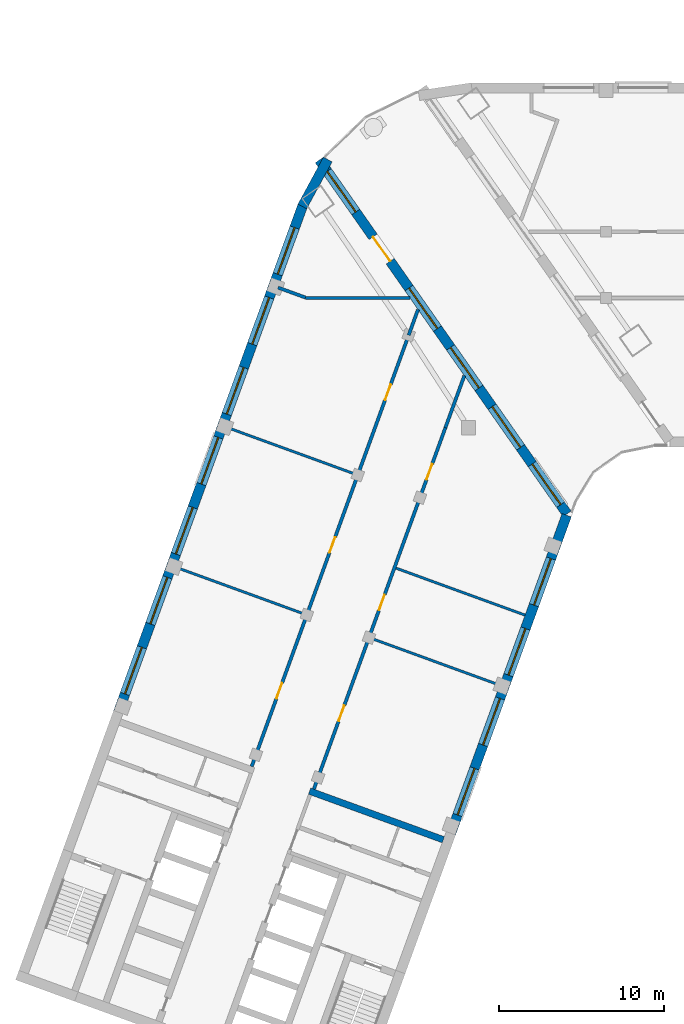
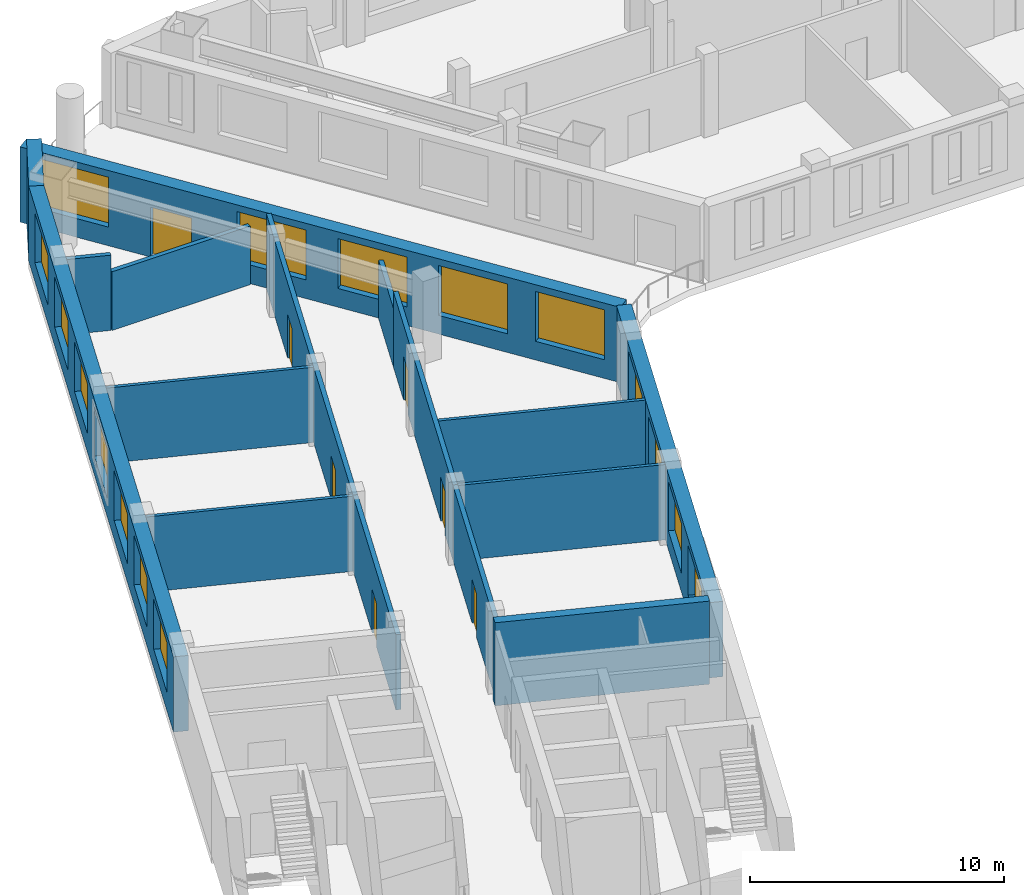
# One storey, part 4 of 14: 17 walls, 16 windows, 7 doors, 23 openings.
"""IFC4 building model written with IfcOpenShell, lengths in metres."""

import ifcopenshell
import ifcopenshell.guid

model = None  # the IFC model being written
_history = None  # IfcOwnerHistory: only IFC2X3 demands one
_inside = {}  # id of a spatial element -> (the spatial element, [elements in it])
_under = {}  # id of a project, library or spatial element -> (it, [spatial elements below it])
_declared = {}  # id of a project -> (the project, [libraries it declares])
_typed = {}  # id of a type object -> (the type object, [elements of that type])
_made_of = {}  # id of a material, layer set ... -> (it, [elements and type objects made of it])


def new_model(schema):
    """Start an empty IFC model of exactly this schema.

    Asked for "IFC4X3", IfcOpenShell would pick the latest addendum, in which some entities
    have other attributes; the version numbers below select the first issue.
    IFC2X3 requires an IfcOwnerHistory on every rooted entity: one is made here for all.
    """
    global model, _history
    if schema == "IFC4X3":
        model = ifcopenshell.file(schema_version=(4, 3, 0, 0))
    else:
        model = ifcopenshell.file(schema=schema)
    _inside.clear()
    _under.clear()
    _declared.clear()
    _typed.clear()
    _made_of.clear()
    _history = None
    if model.schema == "IFC2X3":
        org = make("IfcOrganization", Name="unknown")
        user = make(
            "IfcPersonAndOrganization",
            ThePerson=make("IfcPerson", FamilyName="unknown"),
            TheOrganization=org,
        )
        app = make(
            "IfcApplication",
            ApplicationDeveloper=org,
            Version="unknown",
            ApplicationFullName="unknown",
            ApplicationIdentifier="unknown",
        )
        _history = make(
            "IfcOwnerHistory",
            OwningUser=user,
            OwningApplication=app,
            ChangeAction="ADDED",
            CreationDate=0,
        )
    return model


def make(cls, **values):
    """One entity of the class cls with the attributes given. An attribute that is None is left unset."""
    return model.create_entity(
        cls, **{name: value for name, value in values.items() if value is not None}
    )


def rooted(cls, **values):
    """An entity with a GlobalId (a new one), such as an element, a storey or a relation."""
    return make(cls, GlobalId=ifcopenshell.guid.new(), OwnerHistory=_history, **values)


def si_unit(unit_type, name, prefix=None):
    """IfcSIUnit, for example si_unit("LENGTHUNIT", "METRE", prefix="MILLI")."""
    return make("IfcSIUnit", UnitType=unit_type, Prefix=prefix, Name=name)


def assignment(units):
    """IfcUnitAssignment: the units of a project."""
    return None if units is None else make("IfcUnitAssignment", Units=units)


def point(xyz):
    """IfcCartesianPoint."""
    return None if xyz is None else make("IfcCartesianPoint", Coordinates=xyz)


def direction(xyz):
    """IfcDirection."""
    return None if xyz is None else make("IfcDirection", DirectionRatios=xyz)


def frame(location, z_axis=None, x_axis=None):
    """IfcAxis2Placement3D, a coordinate frame: its origin and axes. An axis left out is left unset."""
    return make(
        "IfcAxis2Placement3D",
        Location=point(location),
        Axis=direction(z_axis),
        RefDirection=direction(x_axis),
    )


def frame_2d(location, x_axis=None):
    """IfcAxis2Placement2D, a coordinate frame in the plane: its origin and x axis."""
    return make(
        "IfcAxis2Placement2D", Location=point(location), RefDirection=direction(x_axis)
    )


def origin():
    """The frame at (0, 0, 0) with its axes left unset."""
    return frame((0.0, 0.0, 0.0))


def place(relative_to, where):
    """IfcLocalPlacement: puts the frame where relative to a parent placement (None: the world)."""
    return make(
        "IfcLocalPlacement", PlacementRelTo=relative_to, RelativePlacement=where
    )


def context(
    kind, dimensions, precision=None, world=None, true_north=None, identifier=None
):
    """IfcGeometricRepresentationContext, for example the 3D "Model" context."""
    return make(
        "IfcGeometricRepresentationContext",
        ContextIdentifier=identifier,
        ContextType=kind,
        CoordinateSpaceDimension=dimensions,
        Precision=precision,
        WorldCoordinateSystem=world,
        TrueNorth=true_north,
    )


def subcontext(parent, identifier, kind, view, scale=None):
    """IfcGeometricRepresentationSubContext, for example "Body" below "Model"."""
    return make(
        "IfcGeometricRepresentationSubContext",
        ContextIdentifier=identifier,
        ContextType=kind,
        ParentContext=parent,
        TargetScale=scale,
        TargetView=view,
    )


def project(units=None, contexts=None):
    """IfcProject with its units and contexts."""
    return rooted(
        "IfcProject",
        Name="project",
        RepresentationContexts=contexts,
        UnitsInContext=assignment(units),
    )


def spatial(cls, under=None, at=None, **own):
    """A site, building, storey or space (cls), placed at a placement, below another one or the project."""
    s = rooted(cls, ObjectPlacement=at, **own)
    if under is not None:
        _under.setdefault(under.id(), (under, []))[1].append(s)
    return s


def profile(cls, at=None, kind="AREA", **sizes):
    """A parametric profile (cls). Its sizes go by their IFC names, for example OverallWidth=200.0."""
    return make(cls, ProfileType=kind, Position=at, **sizes)


def rectangle(**sizes):
    """IfcRectangleProfileDef."""
    return profile("IfcRectangleProfileDef", **sizes)


def extrude(swept, where, along, depth):
    """IfcExtrudedAreaSolid: the profile swept, set in the frame where, extruded along a direction by depth."""
    return make(
        "IfcExtrudedAreaSolid",
        SweptArea=swept,
        Position=where,
        ExtrudedDirection=direction(along),
        Depth=depth,
    )


def shape(context_of_items, identifier, shape_type, items):
    """IfcShapeRepresentation: the items that make up one representation, for example the "Body"."""
    return make(
        "IfcShapeRepresentation",
        ContextOfItems=context_of_items,
        RepresentationIdentifier=identifier,
        RepresentationType=shape_type,
        Items=items,
    )


def material(Name=None, Category=None):
    """IfcMaterial."""
    return make("IfcMaterial", Name=Name, Category=Category)


def layer(
    of_material, thickness, ventilated=None, Name=None, Category=None, Priority=None
):
    """IfcMaterialLayer: one layer of a wall or slab, of a material (None: an air gap)."""
    return make(
        "IfcMaterialLayer",
        Material=of_material,
        LayerThickness=thickness,
        IsVentilated=ventilated,
        Name=Name,
        Category=Category,
        Priority=Priority,
    )


def layer_set(layers, Name=None):
    """IfcMaterialLayerSet."""
    return make("IfcMaterialLayerSet", MaterialLayers=layers, LayerSetName=Name)


def made_of(thing, what):
    """Note that an element or type object is made of a material, layer set ...; save() writes the relation."""
    if what is not None:
        _made_of.setdefault(what.id(), (what, []))[1].append(thing)
    return thing


def type_object(cls, material=None, **own):
    """A type object (cls), such as IfcWallType, which elements share."""
    return made_of(rooted(cls, **own), material)


def element(
    cls,
    number,
    at=None,
    inside=None,
    cuts=None,
    type_object=None,
    material=None,
    context=None,
    identifier="Body",
    shape_type=None,
    held_by="IfcProductDefinitionShape",
    body=None,
    shapes=None,
    **own,
):
    """One element of the class cls, such as IfcWall. Its Tag is "e" and its number.

    at: its placement. inside: the storey or other place that contains it. cuts: it is an
    opening in that element (IfcRelVoidsElement). A single representation is given by context,
    identifier, shape_type and body (its items); several are given by shapes. held_by: the class
    of the entity that holds the representations. save() writes the other relations.
    """
    e = rooted(cls, Tag="e%d" % number, ObjectPlacement=at, **own)
    if body is not None:
        shapes = [shape(context, identifier, shape_type, body)]
    if shapes is not None:
        e.Representation = make(held_by, Representations=shapes)
    if inside is not None:
        _inside.setdefault(inside.id(), (inside, []))[1].append(e)
    if cuts is not None:
        rooted(
            "IfcRelVoidsElement", RelatingBuildingElement=cuts, RelatedOpeningElement=e
        )
    if type_object is not None:
        _typed.setdefault(type_object.id(), (type_object, []))[1].append(e)
    return made_of(e, material)


def fill(opening, filler):
    """IfcRelFillsElement: the door or window that sits in an opening."""
    return rooted(
        "IfcRelFillsElement",
        RelatingOpeningElement=opening,
        RelatedBuildingElement=filler,
    )


def aggregate(whole, parts):
    """IfcRelAggregates: a whole, such as a stair, and the parts it consists of."""
    return rooted("IfcRelAggregates", RelatingObject=whole, RelatedObjects=parts)


def save(model, path):
    """Write the relations noted so far, then the file.

    IfcRelAggregates (storeys below a building ...), IfcRelContainedInSpatialStructure (elements
    in a storey), IfcRelDefinesByType, IfcRelAssociatesMaterial and IfcRelDeclares: one each for
    every whole, place, type object, material and project.
    """
    for whole, parts in _under.values():
        aggregate(whole, parts)
    for where, things in _inside.values():
        rooted(
            "IfcRelContainedInSpatialStructure",
            RelatedElements=things,
            RelatingStructure=where,
        )
    for kind, things in _typed.values():
        rooted("IfcRelDefinesByType", RelatedObjects=things, RelatingType=kind)
    for what, things in _made_of.values():
        rooted("IfcRelAssociatesMaterial", RelatedObjects=things, RelatingMaterial=what)
    for by, libraries in _declared.values():
        rooted("IfcRelDeclares", RelatingContext=by, RelatedDefinitions=libraries)
    model.write(path)


model = new_model("IFC4")

# Units and contexts
model_context = context("Model", 3, precision=1e-05, world=origin(), true_north=direction((0.0, 1.0)))
body_context = subcontext(model_context, "Body", "Model", "MODEL_VIEW")
ifc_project = project(units=[si_unit("LENGTHUNIT", "METRE"), si_unit("AREAUNIT", "SQUARE_METRE"), si_unit("VOLUMEUNIT", "CUBIC_METRE"), si_unit("PLANEANGLEUNIT", "RADIAN"), si_unit("MASSUNIT", "GRAM", prefix="KILO")], contexts=[model_context])

# Site, building, storey
site_placement = place(None, origin())
site = spatial("IfcSite", under=ifc_project, at=site_placement, CompositionType="ELEMENT")
building_placement = place(site_placement, origin())
building = spatial("IfcBuilding", under=site, at=building_placement, Name="Skarvind Civic Tower", CompositionType="ELEMENT")
storey_placement = place(building_placement, frame((0.0, 0.0, 105.0)))
storey = spatial("IfcBuildingStorey", under=building, at=storey_placement, Name="L24", CompositionType="ELEMENT", Elevation=105.0)

# Wall
ifc_material_1 = material(Name="Concrete C80", Category="concrete")
ifc_layer_1 = layer(ifc_material_1, 0.39990234375)
ifc_layer_set_1 = layer_set([ifc_layer_1], Name="Core wall 400 C80")
wall_type_1 = type_object("IfcWallType", Name="Core wall 400 C80", PredefinedType="SHEAR", material=ifc_layer_set_1)
wall_1_placement = place(storey_placement, frame((44.417724609375, 93.2451171875, 0.0), z_axis=(0.0, 0.0, 1.0), x_axis=(-0.93969060187, 0.342025690201, 0.0)))
element("IfcWall", 1, at=wall_1_placement, inside=storey, type_object=wall_type_1, Name="Core wall C2 south inner face L24", PredefinedType="SHEAR", context=body_context, shape_type="SweptSolid", body=[
    extrude(rectangle(XDim=8.599853515625, YDim=0.39990234375, at=frame_2d((4.2998046875, 0.0))), origin(), (0.0, 0.0, 1.0), 4.0),
])

# Wall, opening, door
ifc_material_2 = material(Name="Fire-rated blockwork wall, plastered", Category="masonry")
ifc_layer_2 = layer(ifc_material_2, 0.199951171875)
ifc_layer_set_2 = layer_set([ifc_layer_2], Name="FIRE WALL 200 EI 60")
wall_type_2 = type_object("IfcWallType", Name="FIRE WALL 200 EI 60", PredefinedType="PARTITIONING", material=ifc_layer_set_2)
wall_2_placement = place(storey_placement, frame((32.833984375, 97.674072265625, 0.0), z_axis=(0.0, 0.0, 1.0), x_axis=(0.342048644688, 0.939682246649, 0.0)))
wall_2 = element("IfcWall", 2, at=wall_2_placement, inside=storey, type_object=wall_type_2, Name="Portal partition L24 003", PredefinedType="PARTITIONING", context=body_context, shape_type="SweptSolid", body=[
    extrude(rectangle(XDim=9.75, YDim=0.199951171875, at=frame_2d((4.875, 0.0))), origin(), (0.0, 0.0, 1.0), 3.625),
])
opening_1_placement = place(wall_2_placement, frame((4.376953125, 0.0, 0.0)))
opening_1 = element("IfcOpeningElement", 3, at=opening_1_placement, cuts=wall_2, Name="Opening L24-D201", PredefinedType="OPENING", context=body_context, shape_type="SweptSolid", body=[
    extrude(rectangle(XDim=1.0, YDim=2.10009765625, at=frame_2d((0.5, 1.050048828125))), frame((0.0, 0.10986328125, 0.0), z_axis=(0.0, -1.0, 0.0), x_axis=(1.0, 0.0, 0.0)), (0.0, 0.0, 1.0), 0.219970703125),
])
ifc_material_3 = material(Name="Painted steel fire door leaf", Category="steel")
door_type_1 = type_object("IfcDoorType", Name="FIRE DOOR 1000X2100 STEEL", OperationType="NOTDEFINED", PredefinedType="DOOR", material=ifc_material_3)
door_1_placement = place(opening_1_placement, origin())
door_1 = element("IfcDoor", 4, at=door_1_placement, inside=storey, type_object=door_type_1, Name="FIRE DOOR", OperationType="SINGLE_SWING_RIGHT", OverallHeight=2.10009765625, OverallWidth=1.0, PredefinedType="DOOR", context=body_context, shape_type="SweptSolid", body=[
    extrude(rectangle(XDim=1.0, YDim=2.10009765625, at=frame_2d((0.5, 1.050048828125))), frame((0.0, 0.02490234375, 0.0), z_axis=(0.0, -1.0, 0.0), x_axis=(1.0, 0.0, 0.0)), (0.0, 0.0, 1.0), 0.050048828125),
])
fill(opening_1, door_1)

# Walls
wall_3_placement = place(storey_placement, frame((34.430908203125, 126.6240234375, 0.0), z_axis=(0.0, 0.0, 1.0), x_axis=(0.939753137971, -0.341853827935, 0.0)))
element("IfcWall", 5, at=wall_3_placement, inside=storey, type_object=wall_type_2, Name="Portal partition L24 004", PredefinedType="PARTITIONING", context=body_context, shape_type="SweptSolid", body=[
    extrude(rectangle(XDim=1.769775390625, YDim=0.199951171875, at=frame_2d((0.884765625, 0.0))), origin(), (0.0, 0.0, 1.0), 3.625),
])
wall_4_placement = place(storey_placement, frame((36.10009765625, 126.0, 0.0), z_axis=(0.0, 0.0, 1.0), x_axis=(1.0, 0.0, 0.0)))
element("IfcWall", 6, at=wall_4_placement, inside=storey, type_object=wall_type_2, Name="Portal partition L24 006", PredefinedType="PARTITIONING", context=body_context, shape_type="SweptSolid", body=[
    extrude(rectangle(XDim=6.294921875, YDim=0.199951171875, at=frame_2d((3.1474609375, 0.0))), origin(), (0.0, 0.0, 1.0), 2.824951171875),
])

# Wall, openings, doors
wall_5_placement = place(storey_placement, frame((36.1689453125, 106.8359375, 0.0), z_axis=(0.0, 0.0, 1.0), x_axis=(0.341992433067, 0.939702706033, 0.0)))
wall_5 = element("IfcWall", 7, at=wall_5_placement, inside=storey, type_object=wall_type_2, Name="Portal partition L24 007", PredefinedType="PARTITIONING", context=body_context, shape_type="SweptSolid", body=[
    extrude(rectangle(XDim=18.00048828125, YDim=0.199951171875, at=frame_2d((9.000244140625, 0.0))), origin(), (0.0, 0.0, 1.0), 3.625),
])
opening_2_placement = place(wall_5_placement, frame((4.0, 0.0, 0.0)))
opening_2 = element("IfcOpeningElement", 8, at=opening_2_placement, cuts=wall_5, Name="Opening L24-D202", PredefinedType="OPENING", context=body_context, shape_type="SweptSolid", body=[
    extrude(rectangle(XDim=1.0, YDim=2.10009765625, at=frame_2d((0.5, 1.050048828125))), frame((0.0, 0.10986328125, 0.0), z_axis=(0.0, -1.0, 0.0), x_axis=(1.0, 0.0, 0.0)), (0.0, 0.0, 1.0), 0.219970703125),
])
opening_3_placement = place(wall_5_placement, frame((13.821044921875, 0.0, 0.0)))
opening_3 = element("IfcOpeningElement", 9, at=opening_3_placement, cuts=wall_5, Name="Opening L24-D205", PredefinedType="OPENING", context=body_context, shape_type="SweptSolid", body=[
    extrude(rectangle(XDim=1.0, YDim=2.10009765625, at=frame_2d((0.5, 1.050048828125))), frame((0.0, 0.10986328125, 0.0), z_axis=(0.0, -1.0, 0.0), x_axis=(1.0, 0.0, 0.0)), (0.0, 0.0, 1.0), 0.219970703125),
])
door_2_placement = place(opening_2_placement, origin())
door_2 = element("IfcDoor", 10, at=door_2_placement, inside=storey, type_object=door_type_1, Name="FIRE DOOR", OperationType="SINGLE_SWING_LEFT", OverallHeight=2.10009765625, OverallWidth=1.0, PredefinedType="DOOR", context=body_context, shape_type="SweptSolid", body=[
    extrude(rectangle(XDim=1.0, YDim=2.10009765625, at=frame_2d((0.5, 1.050048828125))), frame((0.0, 0.02490234375, 0.0), z_axis=(0.0, -1.0, 0.0), x_axis=(1.0, 0.0, 0.0)), (0.0, 0.0, 1.0), 0.050048828125),
])
fill(opening_2, door_2)
door_3_placement = place(opening_3_placement, origin())
door_3 = element("IfcDoor", 11, at=door_3_placement, inside=storey, type_object=door_type_1, Name="FIRE DOOR", OperationType="SINGLE_SWING_RIGHT", OverallHeight=2.10009765625, OverallWidth=1.0, PredefinedType="DOOR", context=body_context, shape_type="SweptSolid", body=[
    extrude(rectangle(XDim=1.0, YDim=2.10009765625, at=frame_2d((0.5, 1.050048828125))), frame((0.0, 0.02490234375, 0.0), z_axis=(0.0, -1.0, 0.0), x_axis=(1.0, 0.0, 0.0)), (0.0, 0.0, 1.0), 0.050048828125),
])
fill(opening_3, door_3)

# Wall, opening, door
wall_6_placement = place(storey_placement, frame((39.927978515625, 105.468017578125, 0.0), z_axis=(0.0, 0.0, 1.0), x_axis=(-0.34204059653, -0.939685176176, 0.0)))
wall_6 = element("IfcWall", 12, at=wall_6_placement, inside=storey, type_object=wall_type_2, Name="Portal partition L24 008", PredefinedType="PARTITIONING", context=body_context, shape_type="SweptSolid", body=[
    extrude(rectangle(XDim=9.750244140625, YDim=0.199951171875, at=frame_2d((4.875, 0.0))), origin(), (0.0, 0.0, 1.0), 3.625),
])
opening_4_placement = place(wall_6_placement, frame((4.373046875, 0.0, 0.0)))
opening_4 = element("IfcOpeningElement", 13, at=opening_4_placement, cuts=wall_6, Name="Opening L24-D203", PredefinedType="OPENING", context=body_context, shape_type="SweptSolid", body=[
    extrude(rectangle(XDim=1.0, YDim=2.10009765625, at=frame_2d((0.5, 1.050048828125))), frame((0.0, 0.10986328125, 0.0), z_axis=(0.0, -1.0, 0.0), x_axis=(1.0, 0.0, 0.0)), (0.0, 0.0, 1.0), 0.219970703125),
])
door_4_placement = place(opening_4_placement, origin())
door_4 = element("IfcDoor", 14, at=door_4_placement, inside=storey, type_object=door_type_1, Name="FIRE DOOR", OperationType="SINGLE_SWING_LEFT", OverallHeight=2.10009765625, OverallWidth=1.0, PredefinedType="DOOR", context=body_context, shape_type="SweptSolid", body=[
    extrude(rectangle(XDim=1.0, YDim=2.10009765625, at=frame_2d((0.5, 1.050048828125))), frame((0.0, 0.02490234375, 0.0), z_axis=(0.0, -1.0, 0.0), x_axis=(1.0, 0.0, 0.0)), (0.0, 0.0, 1.0), 0.050048828125),
])
fill(opening_4, door_4)

# Wall, openings, doors
wall_7_placement = place(storey_placement, frame((44.544921875, 118.154052734375, 0.0), z_axis=(0.0, 0.0, 1.0), x_axis=(-0.341994252555, -0.939702043852, 0.0)))
wall_7 = element("IfcWall", 15, at=wall_7_placement, inside=storey, type_object=wall_type_2, Name="Portal partition L24 009", PredefinedType="PARTITIONING", context=body_context, shape_type="SweptSolid", body=[
    extrude(rectangle(XDim=13.5, YDim=0.199951171875, at=frame_2d((6.75, 0.0))), origin(), (0.0, 0.0, 1.0), 3.625),
])
opening_5_placement = place(wall_7_placement, frame((10.75, 0.0, 0.0)))
opening_5 = element("IfcOpeningElement", 16, at=opening_5_placement, cuts=wall_7, Name="Opening L24-D204", PredefinedType="OPENING", context=body_context, shape_type="SweptSolid", body=[
    extrude(rectangle(XDim=1.0, YDim=2.10009765625, at=frame_2d((0.5, 1.050048828125))), frame((0.0, 0.10986328125, 0.0), z_axis=(0.0, -1.0, 0.0), x_axis=(1.0, 0.0, 0.0)), (0.0, 0.0, 1.0), 0.219970703125),
])
opening_6_placement = place(wall_7_placement, frame((2.330078125, 0.0, 0.0)))
opening_6 = element("IfcOpeningElement", 17, at=opening_6_placement, cuts=wall_7, Name="Opening L24-D206", PredefinedType="OPENING", context=body_context, shape_type="SweptSolid", body=[
    extrude(rectangle(XDim=1.0, YDim=2.10009765625, at=frame_2d((0.5, 1.050048828125))), frame((0.0, 0.10986328125, 0.0), z_axis=(0.0, -1.0, 0.0), x_axis=(1.0, 0.0, 0.0)), (0.0, 0.0, 1.0), 0.219970703125),
])
door_5_placement = place(opening_5_placement, origin())
door_5 = element("IfcDoor", 18, at=door_5_placement, inside=storey, type_object=door_type_1, Name="FIRE DOOR", OperationType="SINGLE_SWING_RIGHT", OverallHeight=2.10009765625, OverallWidth=1.0, PredefinedType="DOOR", context=body_context, shape_type="SweptSolid", body=[
    extrude(rectangle(XDim=1.0, YDim=2.10009765625, at=frame_2d((0.5, 1.050048828125))), frame((0.0, 0.02490234375, 0.0), z_axis=(0.0, -1.0, 0.0), x_axis=(1.0, 0.0, 0.0)), (0.0, 0.0, 1.0), 0.050048828125),
])
fill(opening_5, door_5)
door_6_placement = place(opening_6_placement, origin())
door_6 = element("IfcDoor", 19, at=door_6_placement, inside=storey, type_object=door_type_1, Name="FIRE DOOR", OperationType="SINGLE_SWING_LEFT", OverallHeight=2.10009765625, OverallWidth=1.0, PredefinedType="DOOR", context=body_context, shape_type="SweptSolid", body=[
    extrude(rectangle(XDim=1.0, YDim=2.10009765625, at=frame_2d((0.5, 1.050048828125))), frame((0.0, 0.02490234375, 0.0), z_axis=(0.0, -1.0, 0.0), x_axis=(1.0, 0.0, 0.0)), (0.0, 0.0, 1.0), 0.050048828125),
])
fill(opening_6, door_6)

# Walls
wall_8_placement = place(storey_placement, frame((42.324951171875, 123.7509765625, 0.0), z_axis=(0.0, 0.0, 1.0), x_axis=(0.342386742207, 0.93955910871, 0.0)))
element("IfcWall", 20, at=wall_8_placement, inside=storey, type_object=wall_type_2, Name="Portal partition L24 012", PredefinedType="PARTITIONING", context=body_context, shape_type="SweptSolid", body=[
    extrude(rectangle(XDim=1.644287109375, YDim=0.199951171875, at=frame_2d((0.822265625, 0.0))), origin(), (0.0, 0.0, 1.0), 3.625),
])
wall_9_placement = place(storey_placement, frame((44.544921875, 118.154052734375, 0.0), z_axis=(0.0, 0.0, 1.0), x_axis=(0.342153412926, 0.939644103915, 0.0)))
element("IfcWall", 21, at=wall_9_placement, inside=storey, type_object=wall_type_2, Name="Portal partition L24 013", PredefinedType="PARTITIONING", context=body_context, shape_type="SweptSolid", body=[
    extrude(rectangle(XDim=3.34375, YDim=0.199951171875, at=frame_2d((1.671875, 0.0))), origin(), (0.0, 0.0, 1.0), 2.824951171875),
])
ifc_material_4 = material(Name="Plasterboard partition on steel studs", Category="steel")
ifc_layer_3 = layer(ifc_material_4, 0.14990234375)
ifc_layer_set_3 = layer_set([ifc_layer_3], Name="PARTITION 150")
wall_type_3 = type_object("IfcWallType", Name="PARTITION 150", PredefinedType="PARTITIONING", material=ifc_layer_set_3)
wall_10_placement = place(storey_placement, frame((28.27490234375, 109.708984375, 0.0), z_axis=(0.0, 0.0, 1.0), x_axis=(0.939697205528, -0.342007546586, 0.0)))
element("IfcWall", 22, at=wall_10_placement, inside=storey, type_object=wall_type_3, Name="Portal partition L24 001", PredefinedType="PARTITIONING", context=body_context, shape_type="SweptSolid", body=[
    extrude(rectangle(XDim=8.300537109375, YDim=0.14990234375, at=frame_2d((4.150390625, 0.0))), origin(), (0.0, 0.0, 1.0), 3.625),
])
wall_11_placement = place(storey_placement, frame((31.35302734375, 118.1669921875, 0.0), z_axis=(0.0, 0.0, 1.0), x_axis=(0.939649935606, -0.34213739713, 0.0)))
element("IfcWall", 23, at=wall_11_placement, inside=storey, type_object=wall_type_3, Name="Portal partition L24 002", PredefinedType="PARTITIONING", context=body_context, shape_type="SweptSolid", body=[
    extrude(rectangle(XDim=8.301025390625, YDim=0.14990234375, at=frame_2d((4.150390625, 0.0))), origin(), (0.0, 0.0, 1.0), 3.625),
])
for number, where, z_axis, x_axis, name in (
    (24, (40.02197265625, 105.43408203125, 0.0), (0.0, 0.0, 1.0), (0.939673986983, -0.342071334939, 0.0), "Portal partition L24 010"),
    (25, (41.56103515625, 109.6630859375, 0.0), (0.0, 0.0, 1.0), (0.939673986983, -0.342071334939, 0.0), "Portal partition L24 011"),
):
    element("IfcWall", number, at=place(storey_placement, frame(where, z_axis=z_axis, x_axis=x_axis)), inside=storey, type_object=wall_type_3, Name=name, PredefinedType="PARTITIONING", context=body_context, shape_type="SweptSolid", body=[
        extrude(rectangle(XDim=8.2998046875, YDim=0.14990234375, at=frame_2d((4.14990234375, 0.0))), origin(), (0.0, 0.0, 1.0), 3.625),
    ])

# Wall, openings, windows
ifc_material_5 = material(Name="Limestone masonry cladding on insulated backing", Category="masonry")
ifc_layer_4 = layer(ifc_material_5, 0.60009765625)
ifc_layer_set_4 = layer_set([ifc_layer_4], Name="WX1 STONE FACADE WALL 600")
wall_type_4 = type_object("IfcWallType", Name="WX1 STONE FACADE WALL 600", PredefinedType="SOLIDWALL", material=ifc_layer_set_4)
wall_12_placement = place(storey_placement, frame((51.876953125, 112.862060546875, 0.0), z_axis=(0.0, 0.0, 1.0), x_axis=(-0.342020589714, -0.939692458314, 0.0)))
wall_12 = element("IfcWall", 26, at=wall_12_placement, inside=storey, type_object=wall_type_4, Name="STONE FACADE WALL", PredefinedType="SOLIDWALL", context=body_context, shape_type="SweptSolid", body=[
    extrude(rectangle(XDim=20.764892578125, YDim=0.60009765625, at=frame_2d((10.38232421875, 0.0))), origin(), (0.0, 0.0, 1.0), 3.625),
])
opening_7_placement = place(wall_12_placement, frame((2.784912109375, 0.0, 0.89990234375)))
opening_7 = element("IfcOpeningElement", 27, at=opening_7_placement, cuts=wall_12, Name="Opening WN1", PredefinedType="OPENING", context=body_context, shape_type="SweptSolid", body=[
    extrude(rectangle(XDim=3.0, YDim=2.39990234375, at=frame_2d((1.5, 1.199951171875))), frame((0.0, 0.31005859375, 0.0), z_axis=(0.0, -1.0, 0.0), x_axis=(1.0, 0.0, 0.0)), (0.0, 0.0, 1.0), 0.6201171875),
])
opening_8_placement = place(wall_12_placement, frame((7.284912109375, 0.0, 0.89990234375)))
opening_8 = element("IfcOpeningElement", 28, at=opening_8_placement, cuts=wall_12, Name="Opening WN1", PredefinedType="OPENING", context=body_context, shape_type="SweptSolid", body=[
    extrude(rectangle(XDim=3.0, YDim=2.39990234375, at=frame_2d((1.5, 1.199951171875))), frame((0.0, 0.31005859375, 0.0), z_axis=(0.0, -1.0, 0.0), x_axis=(1.0, 0.0, 0.0)), (0.0, 0.0, 1.0), 0.6201171875),
])
opening_9_placement = place(wall_12_placement, frame((11.784912109375, 0.0, 0.89990234375)))
opening_9 = element("IfcOpeningElement", 29, at=opening_9_placement, cuts=wall_12, Name="Opening WN1", PredefinedType="OPENING", context=body_context, shape_type="SweptSolid", body=[
    extrude(rectangle(XDim=3.0, YDim=2.39990234375, at=frame_2d((1.5, 1.199951171875))), frame((0.0, 0.31005859375, 0.0), z_axis=(0.0, -1.0, 0.0), x_axis=(1.0, 0.0, 0.0)), (0.0, 0.0, 1.0), 0.6201171875),
])
opening_10_placement = place(wall_12_placement, frame((16.284912109375, 0.0, 0.89990234375)))
opening_10 = element("IfcOpeningElement", 30, at=opening_10_placement, cuts=wall_12, Name="Opening WN1", PredefinedType="OPENING", context=body_context, shape_type="SweptSolid", body=[
    extrude(rectangle(XDim=3.0, YDim=2.39990234375, at=frame_2d((1.5, 1.199951171875))), frame((0.0, 0.31005859375, 0.0), z_axis=(0.0, -1.0, 0.0), x_axis=(1.0, 0.0, 0.0)), (0.0, 0.0, 1.0), 0.6201171875),
])
ifc_material_6 = material(Name="Timber frame, double glazing, timber-lined reveal", Category="wood")
window_type = type_object("IfcWindowType", Name="WN1 PUNCHED STONE WINDOW 3000 x 2400", PartitioningType="SINGLE_PANEL", PredefinedType="WINDOW", material=ifc_material_6)
window_1_placement = place(opening_7_placement, origin())
window_1 = element("IfcWindow", 31, at=window_1_placement, inside=storey, type_object=window_type, Name="WN1 WINDOW", OverallHeight=2.39990234375, OverallWidth=3.0, PartitioningType="SINGLE_PANEL", PredefinedType="WINDOW", context=body_context, shape_type="SweptSolid", body=[
    extrude(rectangle(XDim=3.0, YDim=2.39990234375, at=frame_2d((1.5, 1.199951171875))), frame((0.0, 0.030029296875, 0.0), z_axis=(0.0, -1.0, 0.0), x_axis=(1.0, 0.0, 0.0)), (0.0, 0.0, 1.0), 0.06005859375),
])
fill(opening_7, window_1)
window_2_placement = place(opening_8_placement, origin())
window_2 = element("IfcWindow", 32, at=window_2_placement, inside=storey, type_object=window_type, Name="WN1 WINDOW", OverallHeight=2.39990234375, OverallWidth=3.0, PartitioningType="SINGLE_PANEL", PredefinedType="WINDOW", context=body_context, shape_type="SweptSolid", body=[
    extrude(rectangle(XDim=3.0, YDim=2.39990234375, at=frame_2d((1.5, 1.199951171875))), frame((0.0, 0.030029296875, 0.0), z_axis=(0.0, -1.0, 0.0), x_axis=(1.0, 0.0, 0.0)), (0.0, 0.0, 1.0), 0.06005859375),
])
fill(opening_8, window_2)
window_3_placement = place(opening_9_placement, origin())
window_3 = element("IfcWindow", 33, at=window_3_placement, inside=storey, type_object=window_type, Name="WN1 WINDOW", OverallHeight=2.39990234375, OverallWidth=3.0, PartitioningType="SINGLE_PANEL", PredefinedType="WINDOW", context=body_context, shape_type="SweptSolid", body=[
    extrude(rectangle(XDim=3.0, YDim=2.39990234375, at=frame_2d((1.5, 1.199951171875))), frame((0.0, 0.030029296875, 0.0), z_axis=(0.0, -1.0, 0.0), x_axis=(1.0, 0.0, 0.0)), (0.0, 0.0, 1.0), 0.06005859375),
])
fill(opening_9, window_3)
window_4_placement = place(opening_10_placement, origin())
window_4 = element("IfcWindow", 34, at=window_4_placement, inside=storey, type_object=window_type, Name="WN1 WINDOW", OverallHeight=2.39990234375, OverallWidth=3.0, PartitioningType="SINGLE_PANEL", PredefinedType="WINDOW", context=body_context, shape_type="SweptSolid", body=[
    extrude(rectangle(XDim=3.0, YDim=2.39990234375, at=frame_2d((1.5, 1.199951171875))), frame((0.0, 0.030029296875, 0.0), z_axis=(0.0, -1.0, 0.0), x_axis=(1.0, 0.0, 0.0)), (0.0, 0.0, 1.0), 0.06005859375),
])
fill(opening_10, window_4)

# Wall, openings, door, windows
wall_13_placement = place(storey_placement, frame((36.923095703125, 134.338134765625, 0.0), z_axis=(0.0, 0.0, 1.0), x_axis=(0.573575266068, -0.819152863729, 0.0)))
wall_13 = element("IfcWall", 35, at=wall_13_placement, inside=storey, type_object=wall_type_4, Name="STONE FACADE WALL", PredefinedType="SOLIDWALL", context=body_context, shape_type="SweptSolid", body=[
    extrude(rectangle(XDim=26.1171875, YDim=0.60009765625, at=frame_2d((13.05859375, 0.0))), origin(), (0.0, 0.0, 1.0), 3.625),
])
opening_11_placement = place(wall_13_placement, frame((0.83984375, 0.0, 0.89990234375)))
opening_11 = element("IfcOpeningElement", 36, at=opening_11_placement, cuts=wall_13, Name="Opening WN1", PredefinedType="OPENING", context=body_context, shape_type="SweptSolid", body=[
    extrude(rectangle(XDim=3.0, YDim=2.39990234375, at=frame_2d((1.5, 1.199951171875))), frame((0.0, 0.31005859375, 0.0), z_axis=(0.0, -1.0, 0.0), x_axis=(1.0, 0.0, 0.0)), (0.0, 0.0, 1.0), 0.6201171875),
])
opening_12_placement = place(wall_13_placement, frame((5.669189453125, 0.0, 0.0)))
opening_12 = element("IfcOpeningElement", 37, at=opening_12_placement, cuts=wall_13, Name="Opening DX3", PredefinedType="OPENING", context=body_context, shape_type="SweptSolid", body=[
    extrude(rectangle(XDim=1.800048828125, YDim=2.39990234375, at=frame_2d((0.89990234375, 1.199951171875))), frame((0.0, 0.31005859375, 0.0), z_axis=(0.0, -1.0, 0.0), x_axis=(1.0, 0.0, 0.0)), (0.0, 0.0, 1.0), 0.6201171875),
])
opening_13_placement = place(wall_13_placement, frame((9.448974609375, 0.0, 0.89990234375)))
opening_13 = element("IfcOpeningElement", 38, at=opening_13_placement, cuts=wall_13, Name="Opening WN1", PredefinedType="OPENING", context=body_context, shape_type="SweptSolid", body=[
    extrude(rectangle(XDim=3.0, YDim=2.39990234375, at=frame_2d((1.5, 1.199951171875))), frame((0.0, 0.31005859375, 0.0), z_axis=(0.0, -1.0, 0.0), x_axis=(1.0, 0.0, 0.0)), (0.0, 0.0, 1.0), 0.6201171875),
])
opening_14_placement = place(wall_13_placement, frame((13.82861328125, 0.0, 0.89990234375)))
opening_14 = element("IfcOpeningElement", 39, at=opening_14_placement, cuts=wall_13, Name="Opening WN1", PredefinedType="OPENING", context=body_context, shape_type="SweptSolid", body=[
    extrude(rectangle(XDim=3.0, YDim=2.39990234375, at=frame_2d((1.5, 1.199951171875))), frame((0.0, 0.31005859375, 0.0), z_axis=(0.0, -1.0, 0.0), x_axis=(1.0, 0.0, 0.0)), (0.0, 0.0, 1.0), 0.6201171875),
])
opening_15_placement = place(wall_13_placement, frame((18.2080078125, 0.0, 0.89990234375)))
opening_15 = element("IfcOpeningElement", 40, at=opening_15_placement, cuts=wall_13, Name="Opening WN1", PredefinedType="OPENING", context=body_context, shape_type="SweptSolid", body=[
    extrude(rectangle(XDim=3.0, YDim=2.39990234375, at=frame_2d((1.5, 1.199951171875))), frame((0.0, 0.31005859375, 0.0), z_axis=(0.0, -1.0, 0.0), x_axis=(1.0, 0.0, 0.0)), (0.0, 0.0, 1.0), 0.6201171875),
])
opening_16_placement = place(wall_13_placement, frame((22.4375, 0.0, 0.89990234375)))
opening_16 = element("IfcOpeningElement", 41, at=opening_16_placement, cuts=wall_13, Name="Opening WN1", PredefinedType="OPENING", context=body_context, shape_type="SweptSolid", body=[
    extrude(rectangle(XDim=3.0, YDim=2.39990234375, at=frame_2d((1.5, 1.199951171875))), frame((0.0, 0.31005859375, 0.0), z_axis=(0.0, -1.0, 0.0), x_axis=(1.0, 0.0, 0.0)), (0.0, 0.0, 1.0), 0.6201171875),
])
ifc_material_7 = material(Name="Timber and glass doorset", Category="wood")
door_type_2 = type_object("IfcDoorType", Name="DX3 TERRACE DOORS 1800 x 2400", OperationType="NOTDEFINED", PredefinedType="DOOR", material=ifc_material_7)
door_7_placement = place(opening_12_placement, origin())
door_7 = element("IfcDoor", 42, at=door_7_placement, inside=storey, type_object=door_type_2, Name="TERRACE DOORS", OperationType="DOUBLE_DOOR_SINGLE_SWING", OverallHeight=2.39990234375, OverallWidth=1.800048828125, PredefinedType="DOOR", context=body_context, shape_type="SweptSolid", body=[
    extrude(rectangle(XDim=1.800048828125, YDim=2.39990234375, at=frame_2d((0.89990234375, 1.199951171875))), frame((0.0, 0.02490234375, 0.0), z_axis=(0.0, -1.0, 0.0), x_axis=(1.0, 0.0, 0.0)), (0.0, 0.0, 1.0), 0.050048828125),
])
fill(opening_12, door_7)
window_5_placement = place(opening_11_placement, origin())
window_5 = element("IfcWindow", 43, at=window_5_placement, inside=storey, type_object=window_type, Name="WN1 WINDOW", OverallHeight=2.39990234375, OverallWidth=3.0, PartitioningType="SINGLE_PANEL", PredefinedType="WINDOW", context=body_context, shape_type="SweptSolid", body=[
    extrude(rectangle(XDim=3.0, YDim=2.39990234375, at=frame_2d((1.5, 1.199951171875))), frame((0.0, 0.030029296875, 0.0), z_axis=(0.0, -1.0, 0.0), x_axis=(1.0, 0.0, 0.0)), (0.0, 0.0, 1.0), 0.06005859375),
])
fill(opening_11, window_5)
window_6_placement = place(opening_13_placement, origin())
window_6 = element("IfcWindow", 44, at=window_6_placement, inside=storey, type_object=window_type, Name="WN1 WINDOW", OverallHeight=2.39990234375, OverallWidth=3.0, PartitioningType="SINGLE_PANEL", PredefinedType="WINDOW", context=body_context, shape_type="SweptSolid", body=[
    extrude(rectangle(XDim=3.0, YDim=2.39990234375, at=frame_2d((1.5, 1.199951171875))), frame((0.0, 0.030029296875, 0.0), z_axis=(0.0, -1.0, 0.0), x_axis=(1.0, 0.0, 0.0)), (0.0, 0.0, 1.0), 0.06005859375),
])
fill(opening_13, window_6)
window_7_placement = place(opening_14_placement, origin())
window_7 = element("IfcWindow", 45, at=window_7_placement, inside=storey, type_object=window_type, Name="WN1 WINDOW", OverallHeight=2.39990234375, OverallWidth=3.0, PartitioningType="SINGLE_PANEL", PredefinedType="WINDOW", context=body_context, shape_type="SweptSolid", body=[
    extrude(rectangle(XDim=3.0, YDim=2.39990234375, at=frame_2d((1.5, 1.199951171875))), frame((0.0, 0.030029296875, 0.0), z_axis=(0.0, -1.0, 0.0), x_axis=(1.0, 0.0, 0.0)), (0.0, 0.0, 1.0), 0.06005859375),
])
fill(opening_14, window_7)
window_8_placement = place(opening_15_placement, origin())
window_8 = element("IfcWindow", 46, at=window_8_placement, inside=storey, type_object=window_type, Name="WN1 WINDOW", OverallHeight=2.39990234375, OverallWidth=3.0, PartitioningType="SINGLE_PANEL", PredefinedType="WINDOW", context=body_context, shape_type="SweptSolid", body=[
    extrude(rectangle(XDim=3.0, YDim=2.39990234375, at=frame_2d((1.5, 1.199951171875))), frame((0.0, 0.030029296875, 0.0), z_axis=(0.0, -1.0, 0.0), x_axis=(1.0, 0.0, 0.0)), (0.0, 0.0, 1.0), 0.06005859375),
])
fill(opening_15, window_8)
window_9_placement = place(opening_16_placement, origin())
window_9 = element("IfcWindow", 47, at=window_9_placement, inside=storey, type_object=window_type, Name="WN1 WINDOW", OverallHeight=2.39990234375, OverallWidth=3.0, PartitioningType="SINGLE_PANEL", PredefinedType="WINDOW", context=body_context, shape_type="SweptSolid", body=[
    extrude(rectangle(XDim=3.0, YDim=2.39990234375, at=frame_2d((1.5, 1.199951171875))), frame((0.0, 0.030029296875, 0.0), z_axis=(0.0, -1.0, 0.0), x_axis=(1.0, 0.0, 0.0)), (0.0, 0.0, 1.0), 0.06005859375),
])
fill(opening_16, window_9)

# Wall
wall_14_placement = place(storey_placement, frame((35.89453125, 131.529541015625, 0.0), z_axis=(0.0, 0.0, 1.0), x_axis=(0.476529237666, 0.879158623713, 0.0)))
element("IfcWall", 48, at=wall_14_placement, inside=storey, type_object=wall_type_4, Name="STONE FACADE WALL", PredefinedType="SOLIDWALL", context=body_context, shape_type="SweptSolid", body=[
    extrude(rectangle(XDim=3.227783203125, YDim=0.60009765625, at=frame_2d((1.61376953125, 0.0))), origin(), (0.0, 0.0, 1.0), 3.625),
])

# Wall, openings, windows
wall_15_placement = place(storey_placement, frame((24.66552734375, 100.668701171875, 0.0), z_axis=(0.0, 0.0, 1.0), x_axis=(0.34201964167, 0.939692803373, 0.0)))
wall_15 = element("IfcWall", 49, at=wall_15_placement, inside=storey, type_object=wall_type_4, Name="STONE FACADE WALL", PredefinedType="SOLIDWALL", context=body_context, shape_type="SweptSolid", body=[
    extrude(rectangle(XDim=32.88427734375, YDim=0.60009765625, at=frame_2d((16.442138671875, 0.0))), origin(), (0.0, 0.0, 1.0), 3.625),
])
opening_17_placement = place(wall_15_placement, frame((1.47998046875, 0.0, 0.89990234375)))
opening_17 = element("IfcOpeningElement", 50, at=opening_17_placement, cuts=wall_15, Name="Opening WN1", PredefinedType="OPENING", context=body_context, shape_type="SweptSolid", body=[
    extrude(rectangle(XDim=3.0, YDim=2.39990234375, at=frame_2d((1.5, 1.199951171875))), frame((0.0, 0.31005859375, 0.0), z_axis=(0.0, -1.0, 0.0), x_axis=(1.0, 0.0, 0.0)), (0.0, 0.0, 1.0), 0.6201171875),
])
opening_18_placement = place(wall_15_placement, frame((5.97998046875, 0.0, 0.89990234375)))
opening_18 = element("IfcOpeningElement", 51, at=opening_18_placement, cuts=wall_15, Name="Opening WN1", PredefinedType="OPENING", context=body_context, shape_type="SweptSolid", body=[
    extrude(rectangle(XDim=3.0, YDim=2.39990234375, at=frame_2d((1.5, 1.199951171875))), frame((0.0, 0.31005859375, 0.0), z_axis=(0.0, -1.0, 0.0), x_axis=(1.0, 0.0, 0.0)), (0.0, 0.0, 1.0), 0.6201171875),
])
opening_19_placement = place(wall_15_placement, frame((10.47998046875, 0.0, 0.89990234375)))
opening_19 = element("IfcOpeningElement", 52, at=opening_19_placement, cuts=wall_15, Name="Opening WN1", PredefinedType="OPENING", context=body_context, shape_type="SweptSolid", body=[
    extrude(rectangle(XDim=3.0, YDim=2.39990234375, at=frame_2d((1.5, 1.199951171875))), frame((0.0, 0.31005859375, 0.0), z_axis=(0.0, -1.0, 0.0), x_axis=(1.0, 0.0, 0.0)), (0.0, 0.0, 1.0), 0.6201171875),
])
opening_20_placement = place(wall_15_placement, frame((14.97998046875, 0.0, 0.89990234375)))
opening_20 = element("IfcOpeningElement", 53, at=opening_20_placement, cuts=wall_15, Name="Opening WN1", PredefinedType="OPENING", context=body_context, shape_type="SweptSolid", body=[
    extrude(rectangle(XDim=3.0, YDim=2.39990234375, at=frame_2d((1.5, 1.199951171875))), frame((0.0, 0.31005859375, 0.0), z_axis=(0.0, -1.0, 0.0), x_axis=(1.0, 0.0, 0.0)), (0.0, 0.0, 1.0), 0.6201171875),
])
opening_21_placement = place(wall_15_placement, frame((19.47998046875, 0.0, 0.89990234375)))
opening_21 = element("IfcOpeningElement", 54, at=opening_21_placement, cuts=wall_15, Name="Opening WN1", PredefinedType="OPENING", context=body_context, shape_type="SweptSolid", body=[
    extrude(rectangle(XDim=3.0, YDim=2.39990234375, at=frame_2d((1.5, 1.199951171875))), frame((0.0, 0.31005859375, 0.0), z_axis=(0.0, -1.0, 0.0), x_axis=(1.0, 0.0, 0.0)), (0.0, 0.0, 1.0), 0.6201171875),
])
opening_22_placement = place(wall_15_placement, frame((23.97998046875, 0.0, 0.89990234375)))
opening_22 = element("IfcOpeningElement", 55, at=opening_22_placement, cuts=wall_15, Name="Opening WN1", PredefinedType="OPENING", context=body_context, shape_type="SweptSolid", body=[
    extrude(rectangle(XDim=3.0, YDim=2.39990234375, at=frame_2d((1.5, 1.199951171875))), frame((0.0, 0.31005859375, 0.0), z_axis=(0.0, -1.0, 0.0), x_axis=(1.0, 0.0, 0.0)), (0.0, 0.0, 1.0), 0.6201171875),
])
opening_23_placement = place(wall_15_placement, frame((28.47998046875, 0.0, 0.89990234375)))
opening_23 = element("IfcOpeningElement", 56, at=opening_23_placement, cuts=wall_15, Name="Opening WN1", PredefinedType="OPENING", context=body_context, shape_type="SweptSolid", body=[
    extrude(rectangle(XDim=3.0, YDim=2.39990234375, at=frame_2d((1.5, 1.199951171875))), frame((0.0, 0.31005859375, 0.0), z_axis=(0.0, -1.0, 0.0), x_axis=(1.0, 0.0, 0.0)), (0.0, 0.0, 1.0), 0.6201171875),
])
window_10_placement = place(opening_17_placement, origin())
window_10 = element("IfcWindow", 57, at=window_10_placement, inside=storey, type_object=window_type, Name="WN1 WINDOW", OverallHeight=2.39990234375, OverallWidth=3.0, PartitioningType="SINGLE_PANEL", PredefinedType="WINDOW", context=body_context, shape_type="SweptSolid", body=[
    extrude(rectangle(XDim=3.0, YDim=2.39990234375, at=frame_2d((1.5, 1.199951171875))), frame((0.0, 0.030029296875, 0.0), z_axis=(0.0, -1.0, 0.0), x_axis=(1.0, 0.0, 0.0)), (0.0, 0.0, 1.0), 0.06005859375),
])
fill(opening_17, window_10)
window_11_placement = place(opening_18_placement, origin())
window_11 = element("IfcWindow", 58, at=window_11_placement, inside=storey, type_object=window_type, Name="WN1 WINDOW", OverallHeight=2.39990234375, OverallWidth=3.0, PartitioningType="SINGLE_PANEL", PredefinedType="WINDOW", context=body_context, shape_type="SweptSolid", body=[
    extrude(rectangle(XDim=3.0, YDim=2.39990234375, at=frame_2d((1.5, 1.199951171875))), frame((0.0, 0.030029296875, 0.0), z_axis=(0.0, -1.0, 0.0), x_axis=(1.0, 0.0, 0.0)), (0.0, 0.0, 1.0), 0.06005859375),
])
fill(opening_18, window_11)
window_12_placement = place(opening_19_placement, origin())
window_12 = element("IfcWindow", 59, at=window_12_placement, inside=storey, type_object=window_type, Name="WN1 WINDOW", OverallHeight=2.39990234375, OverallWidth=3.0, PartitioningType="SINGLE_PANEL", PredefinedType="WINDOW", context=body_context, shape_type="SweptSolid", body=[
    extrude(rectangle(XDim=3.0, YDim=2.39990234375, at=frame_2d((1.5, 1.199951171875))), frame((0.0, 0.030029296875, 0.0), z_axis=(0.0, -1.0, 0.0), x_axis=(1.0, 0.0, 0.0)), (0.0, 0.0, 1.0), 0.06005859375),
])
fill(opening_19, window_12)
window_13_placement = place(opening_20_placement, origin())
window_13 = element("IfcWindow", 60, at=window_13_placement, inside=storey, type_object=window_type, Name="WN1 WINDOW", OverallHeight=2.39990234375, OverallWidth=3.0, PartitioningType="SINGLE_PANEL", PredefinedType="WINDOW", context=body_context, shape_type="SweptSolid", body=[
    extrude(rectangle(XDim=3.0, YDim=2.39990234375, at=frame_2d((1.5, 1.199951171875))), frame((0.0, 0.030029296875, 0.0), z_axis=(0.0, -1.0, 0.0), x_axis=(1.0, 0.0, 0.0)), (0.0, 0.0, 1.0), 0.06005859375),
])
fill(opening_20, window_13)
window_14_placement = place(opening_21_placement, origin())
window_14 = element("IfcWindow", 61, at=window_14_placement, inside=storey, type_object=window_type, Name="WN1 WINDOW", OverallHeight=2.39990234375, OverallWidth=3.0, PartitioningType="SINGLE_PANEL", PredefinedType="WINDOW", context=body_context, shape_type="SweptSolid", body=[
    extrude(rectangle(XDim=3.0, YDim=2.39990234375, at=frame_2d((1.5, 1.199951171875))), frame((0.0, 0.030029296875, 0.0), z_axis=(0.0, -1.0, 0.0), x_axis=(1.0, 0.0, 0.0)), (0.0, 0.0, 1.0), 0.06005859375),
])
fill(opening_21, window_14)
window_15_placement = place(opening_22_placement, origin())
window_15 = element("IfcWindow", 62, at=window_15_placement, inside=storey, type_object=window_type, Name="WN1 WINDOW", OverallHeight=2.39990234375, OverallWidth=3.0, PartitioningType="SINGLE_PANEL", PredefinedType="WINDOW", context=body_context, shape_type="SweptSolid", body=[
    extrude(rectangle(XDim=3.0, YDim=2.39990234375, at=frame_2d((1.5, 1.199951171875))), frame((0.0, 0.030029296875, 0.0), z_axis=(0.0, -1.0, 0.0), x_axis=(1.0, 0.0, 0.0)), (0.0, 0.0, 1.0), 0.06005859375),
])
fill(opening_22, window_15)
window_16_placement = place(opening_23_placement, origin())
window_16 = element("IfcWindow", 63, at=window_16_placement, inside=storey, type_object=window_type, Name="WN1 WINDOW", OverallHeight=2.39990234375, OverallWidth=3.0, PartitioningType="SINGLE_PANEL", PredefinedType="WINDOW", context=body_context, shape_type="SweptSolid", body=[
    extrude(rectangle(XDim=3.0, YDim=2.39990234375, at=frame_2d((1.5, 1.199951171875))), frame((0.0, 0.030029296875, 0.0), z_axis=(0.0, -1.0, 0.0), x_axis=(1.0, 0.0, 0.0)), (0.0, 0.0, 1.0), 0.06005859375),
])
fill(opening_23, window_16)

save(model, "model.ifc")
